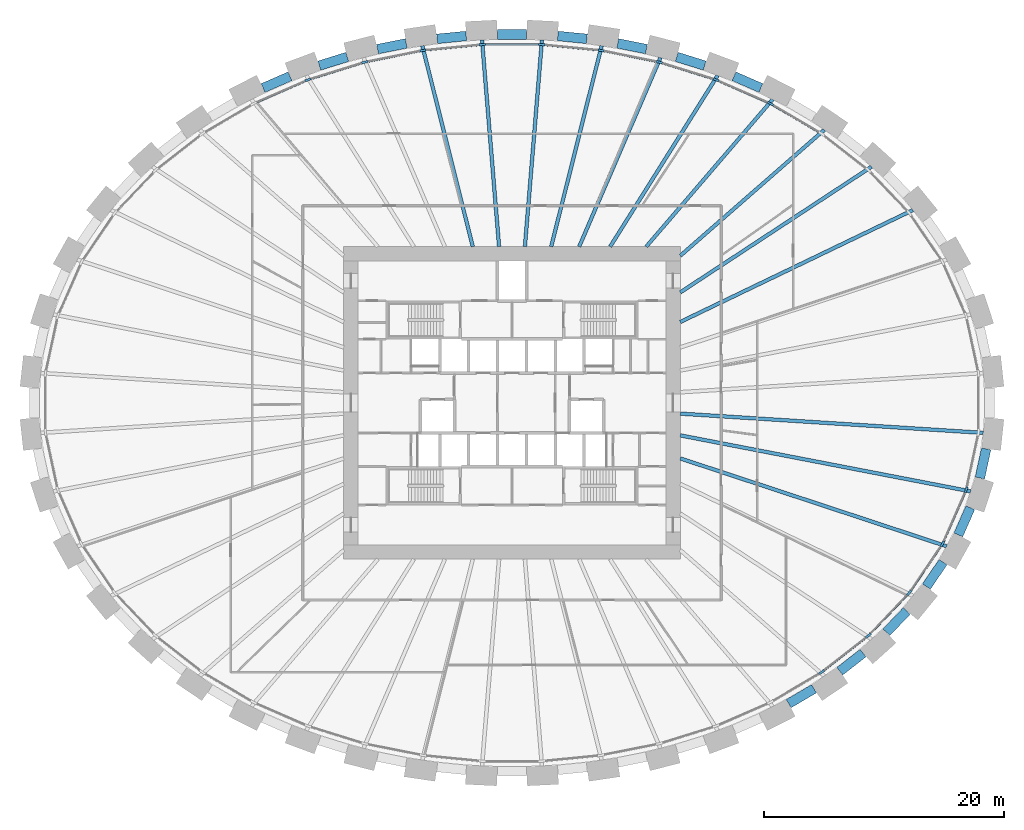
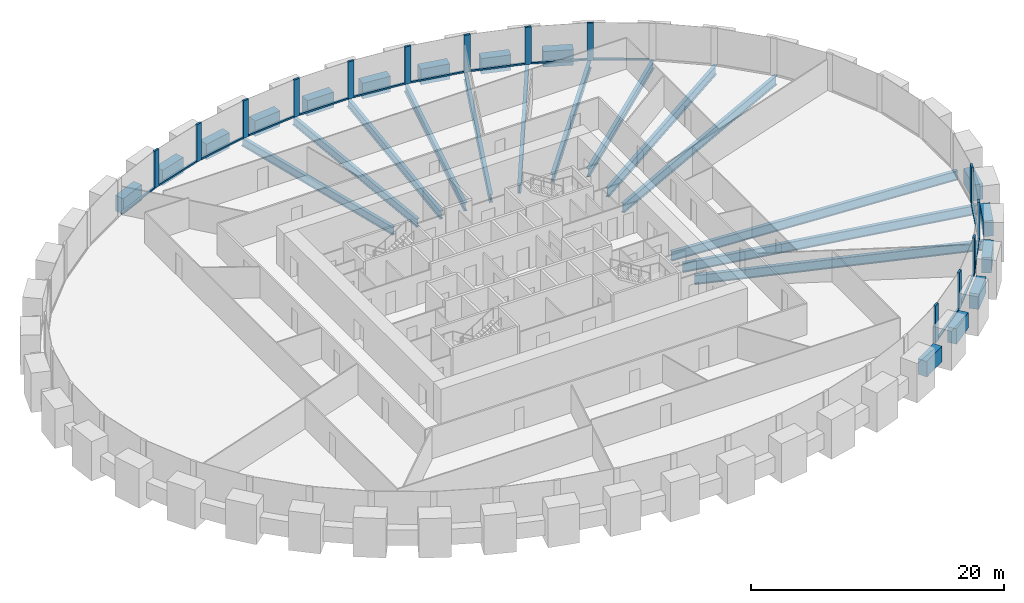
# One storey, part 3 of 11: 28 beams, 28 members, 1 element without a shape of its own.
"""IFC4 building model written with IfcOpenShell, lengths in metres."""

from ifc_helpers import new_model, si_unit, direction, frame, origin, origin_2d, place, context, subcontext, project, spatial, rectangle, i_section, extrude, source, transform, mapped, material, material_profile, profile_set, type_object, element, aggregate, save


model = new_model("IFC4")

# Units and contexts
model_context = context("Model", 3, precision=1e-05, world=origin(), true_north=direction((0.0, 1.0)))
body_context = subcontext(model_context, "Body", "Model", "MODEL_VIEW")
ifc_project = project(units=[si_unit("LENGTHUNIT", "METRE"), si_unit("AREAUNIT", "SQUARE_METRE"), si_unit("VOLUMEUNIT", "CUBIC_METRE"), si_unit("PLANEANGLEUNIT", "RADIAN"), si_unit("MASSUNIT", "GRAM", prefix="KILO")], contexts=[model_context])

# Site, building, storey
site_placement = place(None, origin())
site = spatial("IfcSite", under=ifc_project, at=site_placement, CompositionType="ELEMENT")
building_placement = place(site_placement, origin())
building = spatial("IfcBuilding", under=site, at=building_placement, Name="Embergate Tower", CompositionType="ELEMENT")
storey_placement = place(building_placement, frame((0.0, 0.0, 49.699951171875)))
storey = spatial("IfcBuildingStorey", under=building, at=storey_placement, Name="L08", CompositionType="ELEMENT", Elevation=49.699951171875)

# Beams
ifc_material_1 = material(Name="Concrete C70", Category="concrete")
ifc_material_profile_1 = material_profile(ifc_material_1, rectangle(XDim=0.800048828125, YDim=1.5, at=origin_2d()), Name="RC 800x1500")
ifc_profile_set_1 = profile_set([ifc_material_profile_1], Name="Concrete C70")
beam_type_1 = type_object("IfcBeamType", Name="Spandrel beam RC 800x1500 C70", PredefinedType="BEAM", material=ifc_profile_set_1)
shared_shape_1 = source(origin(), body_context, "Body", "SweptSolid", [
    extrude(rectangle(XDim=0.800048828125, YDim=1.5, at=origin_2d()), origin(), (0.0, 0.0, 1.0), 2.431396484375),
])
for number, where, z_axis, x_axis, name in (
    (1, (11.18505859375, 29.428955078125, 0.0), (-0.980484010726, 0.196598842089, 0.0), (-0.196598842089, -0.980484010726, 0.0), "SPN-L08-08"),
    (2, (-8.801025390625, 29.906982421875, 0.0), (-0.980484010726, -0.196598842089, 0.0), (0.196598842089, -0.980484010726, 0.0), "SPN-L08-12"),
):
    element("IfcBeam", number, at=place(storey_placement, frame(where, z_axis=z_axis, x_axis=x_axis)), inside=storey, type_object=beam_type_1, Name=name, PredefinedType="BEAM", context=body_context, shape_type="MappedRepresentation", body=[
        mapped(shared_shape_1, transform((0.0, 0.0, 0.0))),
    ])
shared_shape_2 = source(origin(), body_context, "Body", "SweptSolid", [
    extrude(rectangle(XDim=0.800048828125, YDim=1.5, at=origin_2d()), origin(), (0.0, 0.0, 1.0), 2.43408203125),
])
for number, where, z_axis, x_axis, name in (
    (3, (16.028076171875, 28.06201171875, 0.0), (-0.954756195808, 0.297389654436, 0.0), (-0.297389654436, -0.954756195808, 0.0), "SPN-L08-07"),
    (4, (-13.7041015625, 28.785888671875, 0.0), (-0.954756195808, -0.297389654436, 0.0), (0.297389654436, -0.954756195808, 0.0), "SPN-L08-13"),
):
    element("IfcBeam", number, at=place(storey_placement, frame(where, z_axis=z_axis, x_axis=x_axis)), inside=storey, type_object=beam_type_1, Name=name, PredefinedType="BEAM", context=body_context, shape_type="MappedRepresentation", body=[
        mapped(shared_shape_2, transform((0.0, 0.0, 0.0))),
    ])
shared_shape_3 = source(origin(), body_context, "Body", "SweptSolid", [
    extrude(rectangle(XDim=0.800048828125, YDim=1.5, at=origin_2d()), origin(), (0.0, 0.0, 1.0), 2.47412109375),
])
beam_1_placement = place(storey_placement, frame((38.924072265625, -6.242919921875, 0.0), z_axis=(0.210175960292, 0.977663574915, 0.0), x_axis=(-0.977663574915, 0.210175960292, 0.0)))
element("IfcBeam", 5, at=beam_1_placement, inside=storey, type_object=beam_type_1, Name="SPN-L08-42", PredefinedType="BEAM", context=body_context, shape_type="MappedRepresentation", body=[
    mapped(shared_shape_3, transform((0.0, 0.0, 0.0))),
])
shared_shape_4 = source(origin(), body_context, "Body", "SweptSolid", [
    extrude(rectangle(XDim=0.800048828125, YDim=1.5, at=origin_2d()), origin(), (0.0, 0.0, 1.0), 2.470703125),
])
beam_2_placement = place(storey_placement, frame((37.132080078125, -10.97998046875, 0.0), z_axis=(0.401466670854, 0.915873633311, 0.0), x_axis=(-0.915873633311, 0.401466670854, 0.0)))
element("IfcBeam", 6, at=beam_2_placement, inside=storey, type_object=beam_type_1, Name="SPN-L08-41", PredefinedType="BEAM", context=body_context, shape_type="MappedRepresentation", body=[
    mapped(shared_shape_4, transform((0.0, 0.0, 0.0))),
])
shared_shape_5 = source(origin(), body_context, "Body", "SweptSolid", [
    extrude(rectangle(XDim=0.800048828125, YDim=1.5, at=origin_2d()), origin(), (0.0, 0.0, 1.0), 2.46240234375),
])
beam_3_placement = place(storey_placement, frame((34.470947265625, -15.281005859375, 0.0), z_axis=(0.562478152622, 0.826812147844, 0.0), x_axis=(-0.826812147844, 0.562478152622, 0.0)))
element("IfcBeam", 7, at=beam_3_placement, inside=storey, type_object=beam_type_1, Name="SPN-L08-40", PredefinedType="BEAM", context=body_context, shape_type="MappedRepresentation", body=[
    mapped(shared_shape_5, transform((0.0, 0.0, 0.0))),
])
shared_shape_6 = source(origin(), body_context, "Body", "SweptSolid", [
    extrude(rectangle(XDim=0.800048828125, YDim=1.5, at=origin_2d()), origin(), (0.0, 0.0, 1.0), 2.454345703125),
])
beam_4_placement = place(storey_placement, frame((31.14404296875, -19.080078125, 0.0), z_axis=(0.690146821467, 0.723669375349, 0.0), x_axis=(-0.723669375349, 0.690146821467, 0.0)))
element("IfcBeam", 8, at=beam_4_placement, inside=storey, type_object=beam_type_1, Name="SPN-L08-39", PredefinedType="BEAM", context=body_context, shape_type="MappedRepresentation", body=[
    mapped(shared_shape_6, transform((0.0, 0.0, 0.0))),
])
shared_shape_7 = source(origin(), body_context, "Body", "SweptSolid", [
    extrude(rectangle(XDim=0.800048828125, YDim=1.5, at=origin_2d()), origin(), (0.0, 0.0, 1.0), 2.446533203125),
])
beam_5_placement = place(storey_placement, frame((27.27392578125, -22.31494140625, 0.0), z_axis=(0.788443262058, 0.615107488587, 0.0), x_axis=(-0.615107488587, 0.788443262058, 0.0)))
element("IfcBeam", 9, at=beam_5_placement, inside=storey, type_object=beam_type_1, Name="SPN-L08-38", PredefinedType="BEAM", context=body_context, shape_type="MappedRepresentation", body=[
    mapped(shared_shape_7, transform((0.0, 0.0, 0.0))),
])
shared_shape_8 = source(origin(), body_context, "Body", "SweptSolid", [
    extrude(rectangle(XDim=0.800048828125, YDim=1.5, at=origin_2d()), origin(), (0.0, 0.0, 1.0), 2.440673828125),
])
beam_6_placement = place(storey_placement, frame((23.02001953125, -25.013916015625, 0.0), z_axis=(0.86208332714, 0.506766550857, 0.0), x_axis=(-0.506766550857, 0.86208332714, 0.0)))
element("IfcBeam", 10, at=beam_6_placement, inside=storey, type_object=beam_type_1, Name="SPN-L08-37", PredefinedType="BEAM", context=body_context, shape_type="MappedRepresentation", body=[
    mapped(shared_shape_8, transform((0.0, 0.0, 0.0))),
])
shared_shape_9 = source(origin(), body_context, "Body", "SweptSolid", [
    extrude(rectangle(XDim=0.800048828125, YDim=1.5, at=origin_2d()), origin(), (0.0, 0.0, 1.0), 2.437255859375),
])
for number, where, z_axis, x_axis, name in (
    (11, (20.7041015625, 26.196044921875, 0.0), (-0.916297523331, 0.400498250604, 0.0), (-0.400498250604, -0.916297523331, 0.0), "SPN-L08-06"),
    (12, (-18.470947265625, 27.172119140625, 0.0), (-0.916297523331, -0.400498250604, 0.0), (0.400498250604, -0.916297523331, 0.0), "SPN-L08-14"),
):
    element("IfcBeam", number, at=place(storey_placement, frame(where, z_axis=z_axis, x_axis=x_axis)), inside=storey, type_object=beam_type_1, Name=name, PredefinedType="BEAM", context=body_context, shape_type="MappedRepresentation", body=[
        mapped(shared_shape_9, transform((0.0, 0.0, 0.0))),
    ])
shared_shape_10 = source(origin(), body_context, "Body", "SweptSolid", [
    extrude(rectangle(XDim=0.800048828125, YDim=1.5, at=origin_2d()), origin(), (0.0, 0.0, 1.0), 2.4296875),
])
for number, where, z_axis, x_axis, name in (
    (13, (6.22998046875, 30.2900390625, 0.0), (-0.995189223215, 0.097971475428, 0.0), (-0.097971475428, -0.995189223215, 0.0), "SPN-L08-09"),
    (14, (-3.81201171875, 30.528076171875, 0.0), (-0.995189223215, -0.097971475428, 0.0), (0.097971475428, -0.995189223215, 0.0), "SPN-L08-11"),
):
    element("IfcBeam", number, at=place(storey_placement, frame(where, z_axis=z_axis, x_axis=x_axis)), inside=storey, type_object=beam_type_1, Name=name, PredefinedType="BEAM", context=body_context, shape_type="MappedRepresentation", body=[
        mapped(shared_shape_10, transform((0.0, 0.0, 0.0))),
    ])
shared_shape_11 = source(origin(), body_context, "Body", "SweptSolid", [
    extrude(rectangle(XDim=0.800048828125, YDim=1.5, at=origin_2d()), origin(), (0.0, 0.0, 1.0), 2.43017578125),
])
beam_7_placement = place(storey_placement, frame((1.215087890625, 30.655029296875, 0.0), z_axis=(-1.0, 0.0, 0.0), x_axis=(0.0, -1.0, 0.0)))
element("IfcBeam", 15, at=beam_7_placement, inside=storey, type_object=beam_type_1, Name="SPN-L08-10", PredefinedType="BEAM", context=body_context, shape_type="MappedRepresentation", body=[
    mapped(shared_shape_11, transform((0.0, 0.0, 0.0))),
])
ifc_material_2 = material(Name="Steel Q355B", Category="steel")
ifc_material_profile_2 = material_profile(ifc_material_2, i_section(OverallWidth=0.300048828125, OverallDepth=0.89990234375, WebThickness=0.01611328125, FlangeThickness=0.028076171875, FilletRadius=0.028076171875, at=origin_2d()), Name="HN 900x300x16x28")
ifc_profile_set_2 = profile_set([ifc_material_profile_2], Name="Steel Q355 grade B")
beam_type_2 = type_object("IfcBeamType", Name="Radial girder HN 900x300x16x28", PredefinedType="BEAM", material=ifc_profile_set_2)
shared_shape_12 = source(origin(), body_context, "Body", "SweptSolid", [
    extrude(i_section(OverallWidth=0.300048828125, OverallDepth=0.89990234375, WebThickness=0.01611328125, FlangeThickness=0.028076171875, FilletRadius=0.028076171875, at=origin_2d()), origin(), (0.0, 0.0, 1.0), 25.250732421875),
])
beam_8_placement = place(storey_placement, frame((39.199951171875, -2.490966796875, -0.64990234375), z_axis=(-0.997987753724, 0.063406966633, 0.0), x_axis=(-0.063406966633, -0.997987753724, 0.0)))
element("IfcBeam", 16, at=beam_8_placement, inside=storey, type_object=beam_type_2, Name="GIR-L08-43", PredefinedType="BEAM", context=body_context, shape_type="MappedRepresentation", body=[
    mapped(shared_shape_12, transform((0.0, 0.0, 0.0))),
])
shared_shape_13 = source(origin(), body_context, "Body", "SweptSolid", [
    extrude(i_section(OverallWidth=0.300048828125, OverallDepth=0.89990234375, WebThickness=0.01611328125, FlangeThickness=0.028076171875, FilletRadius=0.028076171875, at=origin_2d()), origin(), (0.0, 0.0, 1.0), 24.59619140625),
])
beam_9_placement = place(storey_placement, frame((38.15087890625, -7.35888671875, -0.64990234375), z_axis=(-0.981896685323, 0.18941726255, 0.0), x_axis=(-0.18941726255, -0.981896685323, 0.0)))
element("IfcBeam", 17, at=beam_9_placement, inside=storey, type_object=beam_type_2, Name="GIR-L08-42", PredefinedType="BEAM", context=body_context, shape_type="MappedRepresentation", body=[
    mapped(shared_shape_13, transform((0.0, 0.0, 0.0))),
])
shared_shape_14 = source(origin(), body_context, "Body", "SweptSolid", [
    extrude(i_section(OverallWidth=0.300048828125, OverallDepth=0.89990234375, WebThickness=0.01611328125, FlangeThickness=0.028076171875, FilletRadius=0.028076171875, at=origin_2d()), origin(), (0.0, 0.0, 1.0), 23.324462890625),
])
beam_10_placement = place(storey_placement, frame((36.15087890625, -11.922119140625, -0.64990234375), z_axis=(-0.949687504939, 0.313199046873, 0.0), x_axis=(-0.313199046873, -0.949687504939, 0.0)))
element("IfcBeam", 18, at=beam_10_placement, inside=storey, type_object=beam_type_2, Name="GIR-L08-41", PredefinedType="BEAM", context=body_context, shape_type="MappedRepresentation", body=[
    mapped(shared_shape_14, transform((0.0, 0.0, 0.0))),
])
shared_shape_15 = source(origin(), body_context, "Body", "SweptSolid", [
    extrude(i_section(OverallWidth=0.300048828125, OverallDepth=0.89990234375, WebThickness=0.01611328125, FlangeThickness=0.028076171875, FilletRadius=0.028076171875, at=origin_2d()), origin(), (0.0, 0.0, 1.0), 21.470458984375),
])
beam_11_placement = place(storey_placement, frame((33.347900390625, 16.04296875, -0.64990234375), z_axis=(-0.901143518966, -0.43352088557, 0.0), x_axis=(0.43352088557, -0.901143518966, 0.0)))
element("IfcBeam", 19, at=beam_11_placement, inside=storey, type_object=beam_type_2, Name="GIR-L08-03", PredefinedType="BEAM", context=body_context, shape_type="MappedRepresentation", body=[
    mapped(shared_shape_15, transform((0.0, 0.0, 0.0))),
])
shared_shape_16 = source(origin(), body_context, "Body", "SweptSolid", [
    extrude(i_section(OverallWidth=0.300048828125, OverallDepth=0.89990234375, WebThickness=0.01611328125, FlangeThickness=0.028076171875, FilletRadius=0.028076171875, at=origin_2d()), origin(), (0.0, 0.0, 1.0), 19.03564453125),
])
beam_12_placement = place(storey_placement, frame((29.908935546875, 19.65087890625, -0.64990234375), z_axis=(-0.835743149678, -0.549120558499, 0.0), x_axis=(0.549120558499, -0.835743149678, 0.0)))
element("IfcBeam", 20, at=beam_12_placement, inside=storey, type_object=beam_type_2, Name="GIR-L08-04", PredefinedType="BEAM", context=body_context, shape_type="MappedRepresentation", body=[
    mapped(shared_shape_16, transform((0.0, 0.0, 0.0))),
])
ifc_material_profile_3 = material_profile(ifc_material_2, i_section(OverallWidth=0.300048828125, OverallDepth=0.800048828125, WebThickness=0.013916015625, FlangeThickness=0.02587890625, FilletRadius=0.028076171875, at=origin_2d()), Name="HN 800x300x14x26")
ifc_profile_set_3 = profile_set([ifc_material_profile_3], Name="Steel Q355 grade B")
beam_type_3 = type_object("IfcBeamType", Name="Radial girder HN 800x300x14x26", PredefinedType="BEAM", material=ifc_profile_set_3)
shared_shape_17 = source(origin(), body_context, "Body", "SweptSolid", [
    extrude(i_section(OverallWidth=0.300048828125, OverallDepth=0.800048828125, WebThickness=0.013916015625, FlangeThickness=0.02587890625, FilletRadius=0.028076171875, at=origin_2d()), origin(), (0.0, 0.0, 1.0), 15.91162109375),
])
beam_13_placement = place(storey_placement, frame((25.97802734375, 22.718017578125, -0.599853515625), z_axis=(-0.752783862885, -0.658267769057, 0.0), x_axis=(0.658267769057, -0.752783862885, 0.0)))
element("IfcBeam", 21, at=beam_13_placement, inside=storey, type_object=beam_type_3, Name="GIR-L08-05", PredefinedType="BEAM", context=body_context, shape_type="MappedRepresentation", body=[
    mapped(shared_shape_17, transform((0.0, 0.0, 0.0))),
])
shared_shape_18 = source(origin(), body_context, "Body", "SweptSolid", [
    extrude(i_section(OverallWidth=0.300048828125, OverallDepth=0.800048828125, WebThickness=0.013916015625, FlangeThickness=0.02587890625, FilletRadius=0.028076171875, at=origin_2d()), origin(), (0.0, 0.0, 1.0), 16.1416015625),
])
beam_14_placement = place(storey_placement, frame((21.679931640625, 25.24609375, -0.599853515625), z_axis=(-0.651477424903, -0.758668020178, 0.0), x_axis=(0.758668020178, -0.651477424903, 0.0)))
element("IfcBeam", 22, at=beam_14_placement, inside=storey, type_object=beam_type_3, Name="GIR-L08-06", PredefinedType="BEAM", context=body_context, shape_type="MappedRepresentation", body=[
    mapped(shared_shape_18, transform((0.0, 0.0, 0.0))),
])
shared_shape_19 = source(origin(), body_context, "Body", "SweptSolid", [
    extrude(i_section(OverallWidth=0.300048828125, OverallDepth=0.800048828125, WebThickness=0.013916015625, FlangeThickness=0.02587890625, FilletRadius=0.028076171875, at=origin_2d()), origin(), (0.0, 0.0, 1.0), 16.81884765625),
])
beam_15_placement = place(storey_placement, frame((17.110107421875, 27.242919921875, -0.599853515625), z_axis=(-0.531846576707, -0.846840728145, 0.0), x_axis=(0.846840728145, -0.531846576707, 0.0)))
element("IfcBeam", 23, at=beam_15_placement, inside=storey, type_object=beam_type_3, Name="GIR-L08-07", PredefinedType="BEAM", context=body_context, shape_type="MappedRepresentation", body=[
    mapped(shared_shape_19, transform((0.0, 0.0, 0.0))),
])
shared_shape_20 = source(origin(), body_context, "Body", "SweptSolid", [
    extrude(i_section(OverallWidth=0.300048828125, OverallDepth=0.800048828125, WebThickness=0.013916015625, FlangeThickness=0.02587890625, FilletRadius=0.028076171875, at=origin_2d()), origin(), (0.0, 0.0, 1.0), 17.118408203125),
])
beam_16_placement = place(storey_placement, frame((12.347900390625, 28.72705078125, -0.599853515625), z_axis=(-0.39489847585, -0.918724764971, 0.0), x_axis=(0.918724764971, -0.39489847585, 0.0)))
element("IfcBeam", 24, at=beam_16_placement, inside=storey, type_object=beam_type_3, Name="GIR-L08-08", PredefinedType="BEAM", context=body_context, shape_type="MappedRepresentation", body=[
    mapped(shared_shape_20, transform((0.0, 0.0, 0.0))),
])
shared_shape_21 = source(origin(), body_context, "Body", "SweptSolid", [
    extrude(i_section(OverallWidth=0.300048828125, OverallDepth=0.800048828125, WebThickness=0.013916015625, FlangeThickness=0.02587890625, FilletRadius=0.028076171875, at=origin_2d()), origin(), (0.0, 0.0, 1.0), 17.225341796875),
])
for number, where, z_axis, x_axis, name in (
    (25, (7.45703125, 29.70703125, -0.599853515625), (-0.243482617431, -0.969905260842, 0.0), (0.969905260842, -0.243482617431, 0.0), "GIR-L08-09"),
    (26, (-7.45703125, 29.70703125, -0.599853515625), (0.243482617431, -0.969905260842, 0.0), (0.969905260842, 0.243482617431, 0.0), "GIR-L08-12"),
):
    element("IfcBeam", number, at=place(storey_placement, frame(where, z_axis=z_axis, x_axis=x_axis)), inside=storey, type_object=beam_type_3, Name=name, PredefinedType="BEAM", context=body_context, shape_type="MappedRepresentation", body=[
        mapped(shared_shape_21, transform((0.0, 0.0, 0.0))),
    ])
shared_shape_22 = source(origin(), body_context, "Body", "SweptSolid", [
    extrude(i_section(OverallWidth=0.300048828125, OverallDepth=0.800048828125, WebThickness=0.013916015625, FlangeThickness=0.02587890625, FilletRadius=0.028076171875, at=origin_2d()), origin(), (0.0, 0.0, 1.0), 17.253662109375),
])
for number, where, z_axis, x_axis, name in (
    (27, (2.493896484375, 30.195068359375, -0.599853515625), (-0.08229715851, -0.99660783546, 0.0), (0.99660783546, -0.08229715851, 0.0), "GIR-L08-10"),
    (28, (-2.493896484375, 30.195068359375, -0.599853515625), (0.08229715851, -0.99660783546, 0.0), (0.99660783546, 0.08229715851, 0.0), "GIR-L08-11"),
):
    element("IfcBeam", number, at=place(storey_placement, frame(where, z_axis=z_axis, x_axis=x_axis)), inside=storey, type_object=beam_type_3, Name=name, PredefinedType="BEAM", context=body_context, shape_type="MappedRepresentation", body=[
        mapped(shared_shape_22, transform((0.0, 0.0, 0.0))),
    ])

# Curtain wall, members
ifc_material_3 = material(Name="Aluminium and glass", Category="aluminium")
curtain_wall_type = type_object("IfcCurtainWallType", Name="Recessed office glazing", PredefinedType="NOTDEFINED", material=ifc_material_3)
curtain_wall_placement = place(storey_placement, origin())
curtain_wall = element("IfcCurtainWall", 29, at=curtain_wall_placement, inside=storey, type_object=curtain_wall_type, Name="Recessed office glazing ring", ObjectType="RECESSED OFFICE GLAZING", PredefinedType="USERDEFINED")
ifc_material_4 = material(Name="Aluminium, thermally broken", Category="aluminium")
ifc_material_profile_4 = material_profile(ifc_material_4, rectangle(XDim=0.179931640625, YDim=0.14990234375, at=origin_2d()), Name="AL 150x180")
ifc_profile_set_4 = profile_set([ifc_material_profile_4], Name="Aluminium, thermally broken")
member_type_1 = type_object("IfcMemberType", Name="Office sill transom", PredefinedType="USERDEFINED", material=ifc_profile_set_4)
shared_shape_23 = source(origin(), body_context, "Body", "SweptSolid", [
    extrude(rectangle(XDim=0.179931640625, YDim=0.14990234375, at=origin_2d()), origin(), (0.0, 0.0, 1.0), 4.38671875),
])
member_1_placement = place(storey_placement, frame((35.91455078125, -11.493896484375, 0.074951171875), z_axis=(0.401656581877, 0.915790363694, 0.0), x_axis=(-0.915790363694, 0.401656581877, 0.0)))
member_1 = element("IfcMember", 30, at=member_1_placement, type_object=member_type_1, Name="CW transom 42.1", ObjectType="TRANSOM", PredefinedType="USERDEFINED", context=body_context, shape_type="MappedRepresentation", body=[
    mapped(shared_shape_23, transform((0.0, 0.0, 0.0))),
])
shared_shape_24 = source(origin(), body_context, "Body", "SweptSolid", [
    extrude(rectangle(XDim=0.179931640625, YDim=0.14990234375, at=origin_2d()), origin(), (0.0, 0.0, 1.0), 4.395751953125),
])
member_2_placement = place(storey_placement, frame((33.19189453125, -15.581787109375, 0.074951171875), z_axis=(0.562354076768, 0.826896542708, 0.0), x_axis=(-0.826896542708, 0.562354076768, 0.0)))
member_2 = element("IfcMember", 31, at=member_2_placement, type_object=member_type_1, Name="CW transom 41.1", ObjectType="TRANSOM", PredefinedType="USERDEFINED", context=body_context, shape_type="MappedRepresentation", body=[
    mapped(shared_shape_24, transform((0.0, 0.0, 0.0))),
])
shared_shape_25 = source(origin(), body_context, "Body", "SweptSolid", [
    extrude(rectangle(XDim=0.179931640625, YDim=0.14990234375, at=origin_2d()), origin(), (0.0, 0.0, 1.0), 4.404296875),
])
member_3_placement = place(storey_placement, frame((29.826904296875, -19.17236328125, 0.074951171875), z_axis=(0.690139479121, 0.723676377504, 0.0), x_axis=(-0.723676377504, 0.690139479121, 0.0)))
member_3 = element("IfcMember", 32, at=member_3_placement, type_object=member_type_1, Name="CW transom 40.1", ObjectType="TRANSOM", PredefinedType="USERDEFINED", context=body_context, shape_type="MappedRepresentation", body=[
    mapped(shared_shape_25, transform((0.0, 0.0, 0.0))),
])
shared_shape_26 = source(origin(), body_context, "Body", "SweptSolid", [
    extrude(rectangle(XDim=0.179931640625, YDim=0.14990234375, at=origin_2d()), origin(), (0.0, 0.0, 1.0), 4.412109375),
])
member_4_placement = place(storey_placement, frame((25.96435546875, -22.235107421875, 0.074951171875), z_axis=(0.788311201142, 0.615276726485, 0.0), x_axis=(-0.615276726485, 0.788311201142, 0.0)))
member_4 = element("IfcMember", 33, at=member_4_placement, type_object=member_type_1, Name="CW transom 39.1", ObjectType="TRANSOM", PredefinedType="USERDEFINED", context=body_context, shape_type="MappedRepresentation", body=[
    mapped(shared_shape_26, transform((0.0, 0.0, 0.0))),
])
shared_shape_27 = source(origin(), body_context, "Body", "SweptSolid", [
    extrude(rectangle(XDim=0.179931640625, YDim=0.14990234375, at=origin_2d()), origin(), (0.0, 0.0, 1.0), 4.417724609375),
])
member_5_placement = place(storey_placement, frame((25.53515625, 22.52685546875, 0.074951171875), z_axis=(-0.862052105816, 0.506819659109, 0.0), x_axis=(-0.506819659109, -0.862052105816, 0.0)))
member_5 = element("IfcMember", 34, at=member_5_placement, type_object=member_type_1, Name="CW transom 6.1", ObjectType="TRANSOM", PredefinedType="USERDEFINED", context=body_context, shape_type="MappedRepresentation", body=[
    mapped(shared_shape_27, transform((0.0, 0.0, 0.0))),
])
shared_shape_28 = source(origin(), body_context, "Body", "SweptSolid", [
    extrude(rectangle(XDim=0.179931640625, YDim=0.14990234375, at=origin_2d()), origin(), (0.0, 0.0, 1.0), 4.422607421875),
])
member_6_placement = place(storey_placement, frame((21.264404296875, 25.001708984375, 0.074951171875), z_axis=(-0.916221938908, 0.400671135301, 0.0), x_axis=(-0.400671135301, -0.916221938908, 0.0)))
member_6 = element("IfcMember", 35, at=member_6_placement, type_object=member_type_1, Name="CW transom 7.1", ObjectType="TRANSOM", PredefinedType="USERDEFINED", context=body_context, shape_type="MappedRepresentation", body=[
    mapped(shared_shape_28, transform((0.0, 0.0, 0.0))),
])
member_7_placement = place(storey_placement, frame((-17.21240234375, 26.773681640625, 0.074951171875), z_axis=(-0.916221938908, -0.400671135301, 0.0), x_axis=(0.400671135301, -0.916221938908, 0.0)))
member_7 = element("IfcMember", 36, at=member_7_placement, type_object=member_type_1, Name="CW transom 15.1", ObjectType="TRANSOM", PredefinedType="USERDEFINED", context=body_context, shape_type="MappedRepresentation", body=[
    mapped(shared_shape_28, transform((0.0, 0.0, 0.0))),
])
shared_shape_29 = source(origin(), body_context, "Body", "SweptSolid", [
    extrude(rectangle(XDim=0.179931640625, YDim=0.14990234375, at=origin_2d()), origin(), (0.0, 0.0, 1.0), 4.42578125),
])
member_8_placement = place(storey_placement, frame((16.725830078125, 26.955078125, 0.074951171875), z_axis=(-0.954773981252, 0.297332549049, 0.0), x_axis=(-0.297332549049, -0.954773981252, 0.0)))
member_8 = element("IfcMember", 37, at=member_8_placement, type_object=member_type_1, Name="CW transom 8.1", ObjectType="TRANSOM", PredefinedType="USERDEFINED", context=body_context, shape_type="MappedRepresentation", body=[
    mapped(shared_shape_29, transform((0.0, 0.0, 0.0))),
])
member_9_placement = place(storey_placement, frame((-12.500244140625, 28.27099609375, 0.074951171875), z_axis=(-0.954773981252, -0.297332549049, 0.0), x_axis=(0.297332549049, -0.954773981252, 0.0)))
member_9 = element("IfcMember", 38, at=member_9_placement, type_object=member_type_1, Name="CW transom 14.1", ObjectType="TRANSOM", PredefinedType="USERDEFINED", context=body_context, shape_type="MappedRepresentation", body=[
    mapped(shared_shape_29, transform((0.0, 0.0, 0.0))),
])
shared_shape_30 = source(origin(), body_context, "Body", "SweptSolid", [
    extrude(rectangle(XDim=0.179931640625, YDim=0.14990234375, at=origin_2d()), origin(), (0.0, 0.0, 1.0), 4.427978515625),
])
member_10_placement = place(storey_placement, frame((11.9970703125, 28.3994140625, 0.074951171875), z_axis=(-0.980470250175, 0.196667456693, 0.0), x_axis=(-0.196667456693, -0.980470250175, 0.0)))
member_10 = element("IfcMember", 39, at=member_10_placement, type_object=member_type_1, Name="CW transom 9.1", ObjectType="TRANSOM", PredefinedType="USERDEFINED", context=body_context, shape_type="MappedRepresentation", body=[
    mapped(shared_shape_30, transform((0.0, 0.0, 0.0))),
])
member_11_placement = place(storey_placement, frame((-7.655517578125, 29.270263671875, 0.074951171875), z_axis=(-0.980470250175, -0.196667456693, 0.0), x_axis=(0.196667456693, -0.980470250175, 0.0)))
member_11 = element("IfcMember", 40, at=member_11_placement, type_object=member_type_1, Name="CW transom 13.1", ObjectType="TRANSOM", PredefinedType="USERDEFINED", context=body_context, shape_type="MappedRepresentation", body=[
    mapped(shared_shape_30, transform((0.0, 0.0, 0.0))),
])
shared_shape_31 = source(origin(), body_context, "Body", "SweptSolid", [
    extrude(rectangle(XDim=0.179931640625, YDim=0.14990234375, at=origin_2d()), origin(), (0.0, 0.0, 1.0), 4.42919921875),
])
member_12_placement = place(storey_placement, frame((7.1416015625, 29.3466796875, 0.074951171875), z_axis=(-0.995196882691, 0.097893639638, 0.0), x_axis=(-0.097893639638, -0.995196882691, 0.0)))
member_12 = element("IfcMember", 41, at=member_12_placement, type_object=member_type_1, Name="CW transom 10.1", ObjectType="TRANSOM", PredefinedType="USERDEFINED", context=body_context, shape_type="MappedRepresentation", body=[
    mapped(shared_shape_31, transform((0.0, 0.0, 0.0))),
])
member_13_placement = place(storey_placement, frame((-2.733642578125, 29.7802734375, 0.074951171875), z_axis=(-0.995196882691, -0.097893639638, 0.0), x_axis=(0.097893639638, -0.995196882691, 0.0)))
member_13 = element("IfcMember", 42, at=member_13_placement, type_object=member_type_1, Name="CW transom 12.1", ObjectType="TRANSOM", PredefinedType="USERDEFINED", context=body_context, shape_type="MappedRepresentation", body=[
    mapped(shared_shape_31, transform((0.0, 0.0, 0.0))),
])
shared_shape_32 = source(origin(), body_context, "Body", "SweptSolid", [
    extrude(rectangle(XDim=0.179931640625, YDim=0.14990234375, at=origin_2d()), origin(), (0.0, 0.0, 1.0), 4.4296875),
])
member_14_placement = place(storey_placement, frame((2.21484375, 29.8056640625, 0.074951171875), z_axis=(-1.0, 0.0, 0.0), x_axis=(0.0, -1.0, 0.0)))
member_14 = element("IfcMember", 43, at=member_14_placement, type_object=member_type_1, Name="CW transom 11.1", ObjectType="TRANSOM", PredefinedType="USERDEFINED", context=body_context, shape_type="MappedRepresentation", body=[
    mapped(shared_shape_32, transform((0.0, 0.0, 0.0))),
])
ifc_material_profile_5 = material_profile(ifc_material_4, rectangle(XDim=0.179931640625, YDim=0.52001953125, at=origin_2d()), Name="AL 520x180")
ifc_profile_set_5 = profile_set([ifc_material_profile_5], Name="Aluminium, thermally broken")
member_type_2 = type_object("IfcMemberType", Name="Office mullion", PredefinedType="MULLION", material=ifc_profile_set_5)
shared_shape_33 = source(origin(), body_context, "Body", "SweptSolid", [
    extrude(rectangle(XDim=0.179931640625, YDim=0.52001953125, at=origin_2d()), origin(), (0.0, 0.0, 1.0), 3.60009765625),
])
member_15_placement = place(storey_placement, frame((21.502685546875, 24.897705078125, 0.0), z_axis=(0.0, 0.0, 1.0), x_axis=(-0.454511380526, -0.890740930334, 0.0)))
member_15 = element("IfcMember", 44, at=member_15_placement, type_object=member_type_2, Name="CW mullion 7", PredefinedType="MULLION", context=body_context, shape_type="MappedRepresentation", body=[
    mapped(shared_shape_33, transform((0.0, 0.0, 0.0))),
])
member_16_placement = place(storey_placement, frame((16.97412109375, 26.877685546875, 0.0), z_axis=(0.0, 0.0, 1.0), x_axis=(-0.349502682851, -0.936935363128, 0.0)))
member_16 = element("IfcMember", 45, at=member_16_placement, type_object=member_type_2, Name="CW mullion 8", PredefinedType="MULLION", context=body_context, shape_type="MappedRepresentation", body=[
    mapped(shared_shape_33, transform((0.0, 0.0, 0.0))),
])
member_17_placement = place(storey_placement, frame((12.251953125, 28.348388671875, 0.0), z_axis=(0.0, 0.0, 1.0), x_axis=(-0.24731188137, -0.968935928394, 0.0)))
member_17 = element("IfcMember", 46, at=member_17_placement, type_object=member_type_2, Name="CW mullion 9", PredefinedType="MULLION", context=body_context, shape_type="MappedRepresentation", body=[
    mapped(shared_shape_33, transform((0.0, 0.0, 0.0))),
])
member_18_placement = place(storey_placement, frame((7.400390625, 29.3212890625, 0.0), z_axis=(0.0, 0.0, 1.0), x_axis=(-0.147412382818, -0.989075118174, 0.0)))
member_18 = element("IfcMember", 47, at=member_18_placement, type_object=member_type_2, Name="CW mullion 10", PredefinedType="MULLION", context=body_context, shape_type="MappedRepresentation", body=[
    mapped(shared_shape_33, transform((0.0, 0.0, 0.0))),
])
member_19_placement = place(storey_placement, frame((2.474853515625, 29.8056640625, 0.0), z_axis=(0.0, 0.0, 1.0), x_axis=(-0.048971796621, -0.998800161762, 0.0)))
member_19 = element("IfcMember", 48, at=member_19_placement, type_object=member_type_2, Name="CW mullion 11", PredefinedType="MULLION", context=body_context, shape_type="MappedRepresentation", body=[
    mapped(shared_shape_33, transform((0.0, 0.0, 0.0))),
])
member_20_placement = place(storey_placement, frame((-2.474853515625, 29.8056640625, 0.0), z_axis=(0.0, 0.0, 1.0), x_axis=(0.048971796621, -0.998800161762, 0.0)))
member_20 = element("IfcMember", 49, at=member_20_placement, type_object=member_type_2, Name="CW mullion 12", PredefinedType="MULLION", context=body_context, shape_type="MappedRepresentation", body=[
    mapped(shared_shape_33, transform((0.0, 0.0, 0.0))),
])
member_21_placement = place(storey_placement, frame((-7.400390625, 29.3212890625, 0.0), z_axis=(0.0, 0.0, 1.0), x_axis=(0.147412382818, -0.989075118174, 0.0)))
member_21 = element("IfcMember", 50, at=member_21_placement, type_object=member_type_2, Name="CW mullion 13", PredefinedType="MULLION", context=body_context, shape_type="MappedRepresentation", body=[
    mapped(shared_shape_33, transform((0.0, 0.0, 0.0))),
])
member_22_placement = place(storey_placement, frame((-12.251953125, 28.348388671875, 0.0), z_axis=(0.0, 0.0, 1.0), x_axis=(0.24731188137, -0.968935928394, 0.0)))
member_22 = element("IfcMember", 51, at=member_22_placement, type_object=member_type_2, Name="CW mullion 14", PredefinedType="MULLION", context=body_context, shape_type="MappedRepresentation", body=[
    mapped(shared_shape_33, transform((0.0, 0.0, 0.0))),
])
member_23_placement = place(storey_placement, frame((-16.97412109375, 26.877685546875, 0.0), z_axis=(0.0, 0.0, 1.0), x_axis=(0.349502682851, -0.936935363128, 0.0)))
member_23 = element("IfcMember", 52, at=member_23_placement, type_object=member_type_2, Name="CW mullion 15", PredefinedType="MULLION", context=body_context, shape_type="MappedRepresentation", body=[
    mapped(shared_shape_33, transform((0.0, 0.0, 0.0))),
])
member_24_placement = place(storey_placement, frame((25.759521484375, -22.39501953125, 0.0), z_axis=(0.0, 0.0, 1.0), x_axis=(-0.562217618544, 0.826989328467, 0.0)))
member_24 = element("IfcMember", 53, at=member_24_placement, type_object=member_type_2, Name="CW mullion 39", PredefinedType="MULLION", context=body_context, shape_type="MappedRepresentation", body=[
    mapped(shared_shape_33, transform((0.0, 0.0, 0.0))),
])
member_25_placement = place(storey_placement, frame((29.647216796875, -19.360595703125, 0.0), z_axis=(0.0, 0.0, 1.0), x_axis=(-0.671229121411, 0.741249935292, 0.0)))
member_25 = element("IfcMember", 54, at=member_25_placement, type_object=member_type_2, Name="CW mullion 40", PredefinedType="MULLION", context=body_context, shape_type="MappedRepresentation", body=[
    mapped(shared_shape_33, transform((0.0, 0.0, 0.0))),
])
member_26_placement = place(storey_placement, frame((33.0458984375, -15.796875, 0.0), z_axis=(0.0, 0.0, 1.0), x_axis=(-0.777875854755, 0.628417977615, 0.0)))
member_26 = element("IfcMember", 55, at=member_26_placement, type_object=member_type_2, Name="CW mullion 41", PredefinedType="MULLION", context=body_context, shape_type="MappedRepresentation", body=[
    mapped(shared_shape_33, transform((0.0, 0.0, 0.0))),
])
member_27_placement = place(storey_placement, frame((35.81005859375, -11.732177734375, 0.0), z_axis=(0.0, 0.0, 1.0), x_axis=(-0.875004430664, 0.484114910242, 0.0)))
member_27 = element("IfcMember", 56, at=member_27_placement, type_object=member_type_2, Name="CW mullion 42", PredefinedType="MULLION", context=body_context, shape_type="MappedRepresentation", body=[
    mapped(shared_shape_33, transform((0.0, 0.0, 0.0))),
])
member_28_placement = place(storey_placement, frame((37.781005859375, -7.238525390625, 0.0), z_axis=(0.0, 0.0, 1.0), x_axis=(-0.95149940886, 0.307650572791, 0.0)))
member_28 = element("IfcMember", 57, at=member_28_placement, type_object=member_type_2, Name="CW mullion 43", PredefinedType="MULLION", context=body_context, shape_type="MappedRepresentation", body=[
    mapped(shared_shape_33, transform((0.0, 0.0, 0.0))),
])
aggregate(curtain_wall, [member_15, member_16, member_17, member_18, member_19, member_20, member_21, member_22, member_23, member_24, member_25, member_26, member_27, member_28, member_5, member_6, member_8, member_10, member_12, member_14, member_13, member_11, member_9, member_7, member_4, member_3, member_2, member_1])

save(model, "model.ifc")
